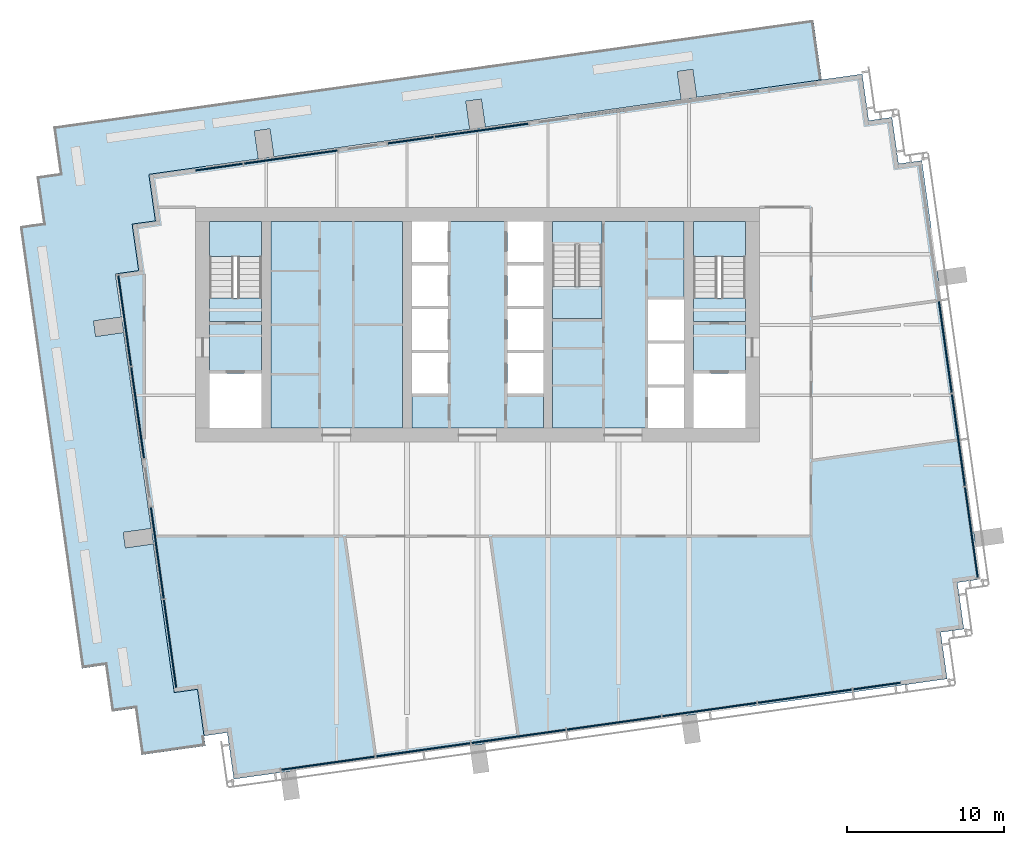
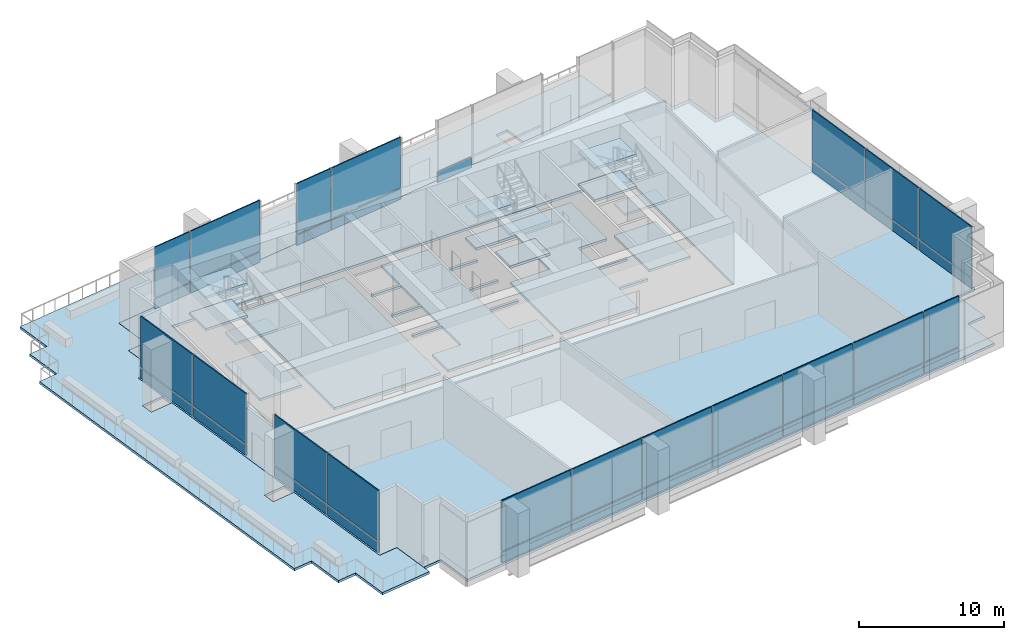
# One storey, part 5 of 18: 37 plates, 16 slabs, 10 elements without a shape of their own.
"""IFC4 building model written with IfcOpenShell, lengths in metres."""

from ifc_helpers import new_model, si_unit, direction, frame, origin, origin_2d, place, context, subcontext, project, spatial, polyline, rectangle, outline, extrude, material, layer, layer_set, type_object, element, aggregate, save


model = new_model("IFC4")

# Units and contexts
model_context = context("Model", 3, precision=1e-05, world=origin(), true_north=direction((0.0, 1.0)))
body_context = subcontext(model_context, "Body", "Model", "MODEL_VIEW")
ifc_project = project(units=[si_unit("LENGTHUNIT", "METRE"), si_unit("AREAUNIT", "SQUARE_METRE"), si_unit("VOLUMEUNIT", "CUBIC_METRE"), si_unit("PLANEANGLEUNIT", "RADIAN"), si_unit("MASSUNIT", "GRAM", prefix="KILO")], contexts=[model_context])

# Site, building, storey
site_placement = place(None, origin())
site = spatial("IfcSite", under=ifc_project, at=site_placement, CompositionType="ELEMENT")
building_placement = place(site_placement, origin())
building = spatial("IfcBuilding", under=site, at=building_placement, Name="Rattan Terrace Tower", CompositionType="ELEMENT")
storey_placement = place(building_placement, frame((0.0, 0.0, 208.10009765625)))
storey = spatial("IfcBuildingStorey", under=building, at=storey_placement, Name="L47", CompositionType="ELEMENT", Elevation=208.10009765625)

# Stair, slabs
ifc_material_1 = material(Name="Concrete C40/50", Category="concrete")
stair_type = type_object("IfcStairType", Name="Core exit stair 1500", PredefinedType="HALF_TURN_STAIR", material=ifc_material_1)
stair_1_placement = place(storey_placement, origin())
stair_1 = element("IfcStair", 1, at=stair_1_placement, inside=storey, type_object=stair_type, Name="L47 exit stair 1", PredefinedType="HALF_TURN_STAIR")
ifc_material_2 = material(Name="Concrete C40/50", Category="concrete")
ifc_layer_1 = layer(ifc_material_2, 0.199951171875)
ifc_layer_set_1 = layer_set([ifc_layer_1], Name="Core exit stair landing")
slab_type_1 = type_object("IfcSlabType", Name="Core exit stair landing", PredefinedType="LANDING", material=ifc_layer_set_1)
slab_1_placement = place(storey_placement, frame((0.0, 0.0, 1.14990234375)))
slab_1 = element("IfcSlab", 2, at=slab_1_placement, type_object=slab_type_1, Name="S1 landing 1", PredefinedType="LANDING", context=body_context, shape_type="SweptSolid", body=[
    extrude(outline(polyline([(-13.800048828125, 4.360107421875), (-13.800048828125, 6.60009765625), (-17.10009765625, 6.60009765625), (-17.10009765625, 4.360107421875), (-13.800048828125, 4.360107421875)])), origin(), (0.0, 0.0, 1.0), 0.199951171875),
])
slab_2_placement = place(storey_placement, frame((0.0, 0.0, 2.5)))
slab_2 = element("IfcSlab", 3, at=slab_2_placement, type_object=slab_type_1, Name="S1 landing 2", PredefinedType="LANDING", context=body_context, shape_type="SweptSolid", body=[
    extrude(outline(polyline([(-13.800048828125, 0.199951171875), (-13.800048828125, 1.699951171875), (-17.10009765625, 1.699951171875), (-17.10009765625, 0.199951171875), (-13.800048828125, 0.199951171875)])), origin(), (0.0, 0.0, 1.0), 0.199951171875),
])
slab_3_placement = place(storey_placement, frame((0.0, 0.0, 3.849853515625)))
slab_3 = element("IfcSlab", 4, at=slab_3_placement, type_object=slab_type_1, Name="S1 landing 3", PredefinedType="LANDING", context=body_context, shape_type="SweptSolid", body=[
    extrude(outline(polyline([(-13.800048828125, 4.360107421875), (-13.800048828125, 6.60009765625), (-17.10009765625, 6.60009765625), (-17.10009765625, 4.360107421875), (-13.800048828125, 4.360107421875)])), origin(), (0.0, 0.0, 1.0), 0.199951171875),
])
aggregate(stair_1, [slab_1, slab_2, slab_3])

stair_2_placement = place(storey_placement, origin())
stair_2 = element("IfcStair", 5, at=stair_2_placement, inside=storey, type_object=stair_type, Name="L47 exit stair 2", PredefinedType="HALF_TURN_STAIR")
slab_4_placement = place(storey_placement, frame((0.0, 0.0, 1.14990234375)))
slab_4 = element("IfcSlab", 6, at=slab_4_placement, type_object=slab_type_1, Name="S2 landing 1", PredefinedType="LANDING", context=body_context, shape_type="SweptSolid", body=[
    extrude(outline(polyline([(17.10009765625, 4.360107421875), (17.10009765625, 6.60009765625), (13.800048828125, 6.60009765625), (13.800048828125, 4.360107421875), (17.10009765625, 4.360107421875)])), origin(), (0.0, 0.0, 1.0), 0.199951171875),
])
slab_5_placement = place(storey_placement, frame((0.0, 0.0, 2.5)))
slab_5 = element("IfcSlab", 7, at=slab_5_placement, type_object=slab_type_1, Name="S2 landing 2", PredefinedType="LANDING", context=body_context, shape_type="SweptSolid", body=[
    extrude(outline(polyline([(17.10009765625, 0.199951171875), (17.10009765625, 1.699951171875), (13.800048828125, 1.699951171875), (13.800048828125, 0.199951171875), (17.10009765625, 0.199951171875)])), origin(), (0.0, 0.0, 1.0), 0.199951171875),
])
slab_6_placement = place(storey_placement, frame((0.0, 0.0, 3.849853515625)))
slab_6 = element("IfcSlab", 8, at=slab_6_placement, type_object=slab_type_1, Name="S2 landing 3", PredefinedType="LANDING", context=body_context, shape_type="SweptSolid", body=[
    extrude(outline(polyline([(17.10009765625, 4.360107421875), (17.10009765625, 6.60009765625), (13.800048828125, 6.60009765625), (13.800048828125, 4.360107421875), (17.10009765625, 4.360107421875)])), origin(), (0.0, 0.0, 1.0), 0.199951171875),
])
aggregate(stair_2, [slab_4, slab_5, slab_6])

stair_3_placement = place(storey_placement, origin())
stair_3 = element("IfcStair", 9, at=stair_3_placement, inside=storey, type_object=stair_type, Name="L47 exit stair 3", PredefinedType="HALF_TURN_STAIR")
slab_7_placement = place(storey_placement, frame((0.0, 0.0, 1.14990234375)))
slab_7 = element("IfcSlab", 10, at=slab_7_placement, type_object=slab_type_1, Name="S3 landing 1", PredefinedType="LANDING", context=body_context, shape_type="SweptSolid", body=[
    extrude(outline(polyline([(4.800048828125, 2.43994140625), (4.800048828125, 0.39990234375), (7.949951171875, 0.39990234375), (7.949951171875, 2.43994140625), (4.800048828125, 2.43994140625)])), origin(), (0.0, 0.0, 1.0), 0.199951171875),
])
slab_8_placement = place(storey_placement, frame((0.0, 0.0, 2.5)))
slab_8 = element("IfcSlab", 11, at=slab_8_placement, type_object=slab_type_1, Name="S3 landing 2", PredefinedType="LANDING", context=body_context, shape_type="SweptSolid", body=[
    extrude(outline(polyline([(4.800048828125, 6.60009765625), (4.800048828125, 5.10009765625), (7.949951171875, 5.10009765625), (7.949951171875, 6.60009765625), (4.800048828125, 6.60009765625)])), origin(), (0.0, 0.0, 1.0), 0.199951171875),
])
slab_9_placement = place(storey_placement, frame((0.0, 0.0, 3.849853515625)))
slab_9 = element("IfcSlab", 12, at=slab_9_placement, type_object=slab_type_1, Name="S3 landing 3", PredefinedType="LANDING", context=body_context, shape_type="SweptSolid", body=[
    extrude(outline(polyline([(4.800048828125, 2.43994140625), (4.800048828125, 0.39990234375), (7.949951171875, 0.39990234375), (7.949951171875, 2.43994140625), (4.800048828125, 2.43994140625)])), origin(), (0.0, 0.0, 1.0), 0.199951171875),
])
aggregate(stair_3, [slab_7, slab_8, slab_9])

# Slabs
ifc_material_3 = material(Name="Concrete C35/45", Category="concrete")
ifc_layer_2 = layer(ifc_material_3, 0.199951171875)
ifc_layer_set_2 = layer_set([ifc_layer_2], Name="Frame refuge floor slab 200")
slab_type_2 = type_object("IfcSlabType", Name="Frame refuge floor slab 200", PredefinedType="FLOOR", material=ifc_layer_set_2)
slab_10_placement = place(storey_placement, frame((0.0, 0.0, -0.2001953125)))
element("IfcSlab", 13, at=slab_10_placement, inside=storey, type_object=slab_type_2, Name="Floor slab", PredefinedType="FLOOR", context=body_context, shape_type="SweptSolid", body=[
    extrude(outline(polyline([(-12.591064453125, -28.593994140625), (27.01904296875, -23.027099609375), (29.989990234375, -22.60888671875), (29.572998046875, -19.637939453125), (31.05810546875, -19.429931640625), (30.639892578125, -16.458984375), (32.1259765625, -16.25), (28.367919921875, 10.487060546875), (26.883056640625, 10.278076171875), (26.465087890625, 13.2490234375), (24.97998046875, 13.0400390625), (24.56201171875, 16.010986328125), (21.591064453125, 15.593994140625), (-18.01904296875, 10.027099609375), (-20.989990234375, 9.60888671875), (-20.572998046875, 6.637939453125), (-22.05810546875, 6.429931640625), (-21.639892578125, 3.458984375), (-23.1259765625, 3.25), (-19.367919921875, -23.487060546875), (-17.883056640625, -23.278076171875), (-17.465087890625, -26.2490234375), (-15.97998046875, -26.0400390625), (-15.56201171875, -29.010986328125), (-12.591064453125, -28.593994140625)]), holes=[polyline([(-18.0, -7.5), (18.0, -7.5), (18.0, -6.60009765625), (18.0, 6.60009765625), (18.0, 7.5), (-18.0, 7.5), (-18.0, 6.60009765625), (-18.0, -6.60009765625), (-18.0, -7.5)])]), origin(), (0.0, 0.0, 1.0), 0.2001953125),
])
slab_11_placement = place(storey_placement, frame((0.0, 0.0, -0.2001953125)))
element("IfcSlab", 14, at=slab_11_placement, inside=storey, type_object=slab_type_2, Name="Floor slab", PredefinedType="FLOOR", context=body_context, shape_type="SweptSolid", body=[
    extrude(outline(polyline([(13.199951171875, 6.60009765625), (4.800048828125, 6.60009765625), (4.800048828125, 5.090087890625), (7.949951171875, 5.090087890625), (7.949951171875, 0.39990234375), (4.800048828125, 0.39990234375), (4.800048828125, -6.60009765625), (10.89990234375, -6.60009765625), (10.89990234375, -4.0), (13.199951171875, -4.0), (13.199951171875, -3.800048828125), (10.89990234375, -3.800048828125), (10.89990234375, -1.199951171875), (13.199951171875, -1.199951171875), (13.199951171875, -1.0), (10.89990234375, -1.0), (10.89990234375, 1.60009765625), (13.199951171875, 1.60009765625), (13.199951171875, 6.60009765625)])), origin(), (0.0, 0.0, 1.0), 0.2001953125),
])
slab_12_placement = place(storey_placement, frame((0.0, 0.0, -0.2001953125)))
element("IfcSlab", 15, at=slab_12_placement, inside=storey, type_object=slab_type_2, Name="Floor slab", PredefinedType="FLOOR", context=body_context, shape_type="SweptSolid", body=[
    extrude(outline(polyline([(1.89990234375, 6.60009765625), (-1.89990234375, 6.60009765625), (-1.89990234375, 4.0), (-4.199951171875, 4.0), (-4.199951171875, 3.800048828125), (-1.89990234375, 3.800048828125), (-1.89990234375, 1.199951171875), (-4.199951171875, 1.199951171875), (-4.199951171875, 1.0), (-1.89990234375, 1.0), (-1.89990234375, -1.60009765625), (-4.199951171875, -1.60009765625), (-4.199951171875, -1.800048828125), (-1.89990234375, -1.800048828125), (-1.89990234375, -4.39990234375), (-4.199951171875, -4.39990234375), (-4.199951171875, -6.60009765625), (4.199951171875, -6.60009765625), (4.199951171875, -4.39990234375), (1.89990234375, -4.39990234375), (1.89990234375, -1.800048828125), (4.199951171875, -1.800048828125), (4.199951171875, -1.60009765625), (1.89990234375, -1.60009765625), (1.89990234375, 1.0), (4.199951171875, 1.0), (4.199951171875, 1.199951171875), (1.89990234375, 1.199951171875), (1.89990234375, 3.800048828125), (4.199951171875, 3.800048828125), (4.199951171875, 4.0), (1.89990234375, 4.0), (1.89990234375, 6.60009765625)])), origin(), (0.0, 0.0, 1.0), 0.2001953125),
])
slab_13_placement = place(storey_placement, frame((0.0, 0.0, -0.2001953125)))
element("IfcSlab", 16, at=slab_13_placement, inside=storey, type_object=slab_type_2, Name="Floor slab", PredefinedType="FLOOR", context=body_context, shape_type="SweptSolid", body=[
    extrude(outline(polyline([(-17.10009765625, -3.10009765625), (-13.800048828125, -3.10009765625), (-13.800048828125, 1.7099609375), (-17.10009765625, 1.7099609375), (-17.10009765625, -3.10009765625)])), origin(), (0.0, 0.0, 1.0), 0.2001953125),
])
slab_14_placement = place(storey_placement, frame((0.0, 0.0, -0.2001953125)))
element("IfcSlab", 17, at=slab_14_placement, inside=storey, type_object=slab_type_2, Name="Floor slab", PredefinedType="FLOOR", context=body_context, shape_type="SweptSolid", body=[
    extrude(outline(polyline([(-4.800048828125, -6.60009765625), (-4.800048828125, 6.60009765625), (-13.199951171875, 6.60009765625), (-13.199951171875, -6.60009765625), (-4.800048828125, -6.60009765625)])), origin(), (0.0, 0.0, 1.0), 0.2001953125),
])
slab_15_placement = place(storey_placement, frame((0.0, 0.0, -0.2001953125)))
element("IfcSlab", 18, at=slab_15_placement, inside=storey, type_object=slab_type_2, Name="Floor slab", PredefinedType="FLOOR", context=body_context, shape_type="SweptSolid", body=[
    extrude(outline(polyline([(13.800048828125, -3.10009765625), (17.10009765625, -3.10009765625), (17.10009765625, 1.7099609375), (13.800048828125, 1.7099609375), (13.800048828125, -3.10009765625)])), origin(), (0.0, 0.0, 1.0), 0.2001953125),
])
ifc_material_4 = material(Name="Concrete C35/45", Category="concrete")
ifc_layer_3 = layer(ifc_material_4, 0.199951171875)
ifc_layer_set_3 = layer_set([ifc_layer_3], Name="Frame terrace slab 200")
slab_type_3 = type_object("IfcSlabType", Name="Frame terrace slab 200", PredefinedType="ROOF", material=ifc_layer_set_3)
slab_16_placement = place(storey_placement, frame((0.0, 0.0, -0.2001953125)))
element("IfcSlab", 19, at=slab_16_placement, inside=storey, type_object=slab_type_3, Name="Terrace slab", PredefinedType="ROOF", context=body_context, shape_type="SweptSolid", body=[
    extrude(outline(polyline([(-18.01904296875, 10.027099609375), (-13.994873046875, 10.592529296875), (-14.245361328125, 12.374755859375), (-13.255126953125, 12.513916015625), (-13.004638671875, 10.731689453125), (13.005126953125, 14.387451171875), (12.754638671875, 16.169677734375), (13.744873046875, 16.308837890625), (13.995361328125, 14.526611328125), (21.97998046875, 15.64892578125), (21.443115234375, 19.462890625), (18.472900390625, 19.044921875), (-24.10888671875, 13.06103515625), (-27.080078125, 12.64306640625), (-26.662109375, 9.672119140625), (-28.14794921875, 9.464111328125), (-27.72998046875, 6.492919921875), (-29.216064453125, 6.283935546875), (-25.2490234375, -21.93896484375), (-23.763916015625, -21.72998046875), (-23.345947265625, -24.700927734375), (-21.861083984375, -24.491943359375), (-21.443115234375, -27.462890625), (-18.472900390625, -27.044921875), (-17.375, -26.89111328125), (-17.883056640625, -23.278076171875), (-19.367919921875, -23.487060546875), (-23.1259765625, 3.25), (-21.639892578125, 3.458984375), (-22.05810546875, 6.429931640625), (-20.572998046875, 6.637939453125), (-20.989990234375, 9.60888671875), (-18.01904296875, 10.027099609375)]), holes=[polyline([(-20.84130859375, -13.004638671875), (-22.623779296875, -13.255126953125), (-22.484619140625, -14.245361328125), (-20.7021484375, -13.994873046875), (-20.84130859375, -13.004638671875)]), polyline([(-24.521728515625, 0.244873046875), (-24.382568359375, -0.745361328125), (-22.60009765625, -0.494873046875), (-22.739501953125, 0.495361328125), (-24.521728515625, 0.244873046875)]), polyline([(0.495361328125, 12.62939453125), (0.244873046875, 14.411865234375), (-0.745361328125, 14.272705078125), (-0.494873046875, 12.490234375), (0.495361328125, 12.62939453125)])]), origin(), (0.0, 0.0, 1.0), 0.2001953125),
])

# Curtain wall, plates
ifc_material_5 = material(Name="Steel fins, aluminium and glass", Category="steel")
ifc_layer_4 = layer(ifc_material_5, 0.300048828125)
ifc_layer_set_4 = layer_set([ifc_layer_4], Name="Sky Lobby Stick Curtain Wall")
curtain_wall_type = type_object("IfcCurtainWallType", Name="Sky Lobby Stick Curtain Wall", PredefinedType="NOTDEFINED", material=ifc_layer_set_4)
curtain_wall_1_placement = place(storey_placement, origin())
curtain_wall_1 = element("IfcCurtainWall", 20, at=curtain_wall_1_placement, inside=storey, type_object=curtain_wall_type, Name="Sky lobby curtain wall L47-1", PredefinedType="NOTDEFINED")
ifc_material_6 = material(Name="Insulated aluminium spandrel panel", Category="aluminium")
ifc_layer_5 = layer(ifc_material_6, 0.10009765625)
ifc_layer_set_5 = layer_set([ifc_layer_5], Name="Sky Lobby CW Insulated Panel")
plate_type_1 = type_object("IfcPlateType", Name="Sky Lobby CW Insulated Panel", PredefinedType="CURTAIN_PANEL", material=ifc_layer_set_5)
plate_1_placement = place(storey_placement, frame((31.5341796875, -13.2607421875, 0.0), z_axis=(0.0, 0.0, 1.0), x_axis=(-0.139186165309, 0.990266232579, 0.0)))
plate_1 = element("IfcPlate", 21, at=plate_1_placement, type_object=plate_type_1, Name="Panel cwl-L47-001.1.1", PredefinedType="CURTAIN_PANEL", context=body_context, shape_type="SweptSolid", body=[
    extrude(rectangle(XDim=5.8349609375, YDim=0.10009765625, at=origin_2d()), origin(), (0.0, 0.0, 1.0), 0.840087890625),
])
plate_2_placement = place(storey_placement, frame((30.705078125, -7.361328125, 0.0), z_axis=(0.0, 0.0, 1.0), x_axis=(-0.139186165309, 0.990266232579, 0.0)))
plate_2 = element("IfcPlate", 22, at=plate_2_placement, type_object=plate_type_1, Name="Panel cwl-L47-001.2.1", PredefinedType="CURTAIN_PANEL", context=body_context, shape_type="SweptSolid", body=[
    extrude(rectangle(XDim=5.919921875, YDim=0.10009765625, at=origin_2d()), origin(), (0.0, 0.0, 1.0), 0.840087890625),
])
plate_3_placement = place(storey_placement, frame((29.869873046875, -1.419677734375, 0.0), z_axis=(0.0, 0.0, 1.0), x_axis=(-0.139186165309, 0.990266232579, 0.0)))
plate_3 = element("IfcPlate", 23, at=plate_3_placement, type_object=plate_type_1, Name="Panel cwl-L47-001.3.1", PredefinedType="CURTAIN_PANEL", context=body_context, shape_type="SweptSolid", body=[
    extrude(rectangle(XDim=5.919921875, YDim=0.10009765625, at=origin_2d()), origin(), (0.0, 0.0, 1.0), 0.840087890625),
])

# Curtain wall, plate
curtain_wall_2_placement = place(storey_placement, origin())
curtain_wall_2 = element("IfcCurtainWall", 24, at=curtain_wall_2_placement, inside=storey, type_object=curtain_wall_type, Name="Sky lobby curtain wall L47-3", PredefinedType="NOTDEFINED")
plate_4_placement = place(storey_placement, frame((7.922607421875, 13.501220703125, 0.0), z_axis=(0.0, 0.0, 1.0), x_axis=(-0.990267457022, -0.139177453499, 0.0)))
plate_4 = element("IfcPlate", 25, at=plate_4_placement, type_object=plate_type_1, Name="Panel cwl-L47-003.2.1", PredefinedType="CURTAIN_PANEL", context=body_context, shape_type="SweptSolid", body=[
    extrude(rectangle(XDim=2.95703125, YDim=0.10009765625, at=origin_2d()), origin(), (0.0, 0.0, 1.0), 0.840087890625),
])
aggregate(curtain_wall_2, [plate_4])

# Curtain wall, plates
curtain_wall_3_placement = place(storey_placement, origin())
curtain_wall_3 = element("IfcCurtainWall", 26, at=curtain_wall_3_placement, inside=storey, type_object=curtain_wall_type, Name="Sky lobby curtain wall L47-4", PredefinedType="NOTDEFINED")
plate_5_placement = place(storey_placement, frame((0.265380859375, 12.425048828125, 0.0), z_axis=(0.0, 0.0, 1.0), x_axis=(-0.990267457022, -0.139177453499, 0.0)))
plate_5 = element("IfcPlate", 27, at=plate_5_placement, type_object=plate_type_1, Name="Panel cwl-L47-004.1.1", PredefinedType="CURTAIN_PANEL", context=body_context, shape_type="SweptSolid", body=[
    extrude(rectangle(XDim=6.033935546875, YDim=0.10009765625, at=origin_2d()), origin(), (0.0, 0.0, 1.0), 0.840087890625),
])
plate_6_placement = place(storey_placement, frame((-4.265380859375, 11.788330078125, 0.0), z_axis=(0.0, 0.0, 1.0), x_axis=(-0.990267457022, -0.139177453499, 0.0)))
plate_6 = element("IfcPlate", 28, at=plate_6_placement, type_object=plate_type_1, Name="Panel cwl-L47-004.2.1", PredefinedType="CURTAIN_PANEL", context=body_context, shape_type="SweptSolid", body=[
    extrude(rectangle(XDim=2.95703125, YDim=0.10009765625, at=origin_2d()), origin(), (0.0, 0.0, 1.0), 0.840087890625),
])

curtain_wall_4_placement = place(storey_placement, origin())
curtain_wall_4 = element("IfcCurtainWall", 29, at=curtain_wall_4_placement, inside=storey, type_object=curtain_wall_type, Name="Sky lobby curtain wall L47-5", PredefinedType="NOTDEFINED")
plate_7_placement = place(storey_placement, frame((-11.922607421875, 10.712158203125, 0.0), z_axis=(0.0, 0.0, 1.0), x_axis=(-0.990267457022, -0.139177453499, 0.0)))
plate_7 = element("IfcPlate", 30, at=plate_7_placement, type_object=plate_type_1, Name="Panel cwl-L47-005.1.1", PredefinedType="CURTAIN_PANEL", context=body_context, shape_type="SweptSolid", body=[
    extrude(rectangle(XDim=6.033935546875, YDim=0.10009765625, at=origin_2d()), origin(), (0.0, 0.0, 1.0), 0.840087890625),
])
plate_8_placement = place(storey_placement, frame((-16.492431640625, 10.06982421875, 0.0), z_axis=(0.0, 0.0, 1.0), x_axis=(-0.990267457022, -0.139177453499, 0.0)))
plate_8 = element("IfcPlate", 31, at=plate_8_placement, type_object=plate_type_1, Name="Panel cwl-L47-005.2.1", PredefinedType="CURTAIN_PANEL", context=body_context, shape_type="SweptSolid", body=[
    extrude(rectangle(XDim=3.035400390625, YDim=0.10009765625, at=origin_2d()), origin(), (0.0, 0.0, 1.0), 0.840087890625),
])

curtain_wall_5_placement = place(storey_placement, origin())
curtain_wall_5 = element("IfcCurtainWall", 32, at=curtain_wall_5_placement, inside=storey, type_object=curtain_wall_type, Name="Sky lobby curtain wall L47-6", PredefinedType="NOTDEFINED")
plate_9_placement = place(storey_placement, frame((-22.5341796875, 0.2607421875, 0.0), z_axis=(0.0, 0.0, 1.0), x_axis=(0.139186165309, -0.990266232579, 0.0)))
plate_9 = element("IfcPlate", 33, at=plate_9_placement, type_object=plate_type_1, Name="Panel cwl-L47-006.1.1", PredefinedType="CURTAIN_PANEL", context=body_context, shape_type="SweptSolid", body=[
    extrude(rectangle(XDim=5.8349609375, YDim=0.10009765625, at=origin_2d()), origin(), (0.0, 0.0, 1.0), 0.840087890625),
])
plate_10_placement = place(storey_placement, frame((-21.707763671875, -5.618896484375, 0.0), z_axis=(0.0, 0.0, 1.0), x_axis=(0.139186165309, -0.990266232579, 0.0)))
plate_10 = element("IfcPlate", 34, at=plate_10_placement, type_object=plate_type_1, Name="Panel cwl-L47-006.2.1", PredefinedType="CURTAIN_PANEL", context=body_context, shape_type="SweptSolid", body=[
    extrude(rectangle(XDim=5.8798828125, YDim=0.10009765625, at=origin_2d()), origin(), (0.0, 0.0, 1.0), 0.840087890625),
])

curtain_wall_6_placement = place(storey_placement, origin())
curtain_wall_6 = element("IfcCurtainWall", 35, at=curtain_wall_6_placement, inside=storey, type_object=curtain_wall_type, Name="Sky lobby curtain wall L47-7", PredefinedType="NOTDEFINED")
plate_11_placement = place(storey_placement, frame((-20.449462890625, -14.571044921875, 0.0), z_axis=(0.0, 0.0, 1.0), x_axis=(0.139186165309, -0.990266232579, 0.0)))
plate_11 = element("IfcPlate", 36, at=plate_11_placement, type_object=plate_type_1, Name="Panel cwl-L47-007.1.1", PredefinedType="CURTAIN_PANEL", context=body_context, shape_type="SweptSolid", body=[
    extrude(rectangle(XDim=5.8798828125, YDim=0.10009765625, at=origin_2d()), origin(), (0.0, 0.0, 1.0), 0.840087890625),
])
plate_12_placement = place(storey_placement, frame((-19.635009765625, -20.366455078125, 0.0), z_axis=(0.0, 0.0, 1.0), x_axis=(0.139186165309, -0.990266232579, 0.0)))
plate_12 = element("IfcPlate", 37, at=plate_12_placement, type_object=plate_type_1, Name="Panel cwl-L47-007.2.1", PredefinedType="CURTAIN_PANEL", context=body_context, shape_type="SweptSolid", body=[
    extrude(rectangle(XDim=5.664794921875, YDim=0.10009765625, at=origin_2d()), origin(), (0.0, 0.0, 1.0), 0.840087890625),
])

curtain_wall_7_placement = place(storey_placement, origin())
curtain_wall_7 = element("IfcCurtainWall", 38, at=curtain_wall_7_placement, inside=storey, type_object=curtain_wall_type, Name="Sky lobby curtain wall L47-8", PredefinedType="NOTDEFINED")
plate_13_placement = place(storey_placement, frame((-9.5478515625, -27.99462890625, 0.0), z_axis=(0.0, 0.0, 1.0), x_axis=(0.990267457022, 0.139177453499, 0.0)))
plate_13 = element("IfcPlate", 39, at=plate_13_placement, type_object=plate_type_1, Name="Panel cwl-L47-008.1.1", PredefinedType="CURTAIN_PANEL", context=body_context, shape_type="SweptSolid", body=[
    extrude(rectangle(XDim=6.033935546875, YDim=0.10009765625, at=origin_2d()), origin(), (0.0, 0.0, 1.0), 0.840087890625),
])
plate_14_placement = place(storey_placement, frame((-3.473388671875, -27.140869140625, 0.0), z_axis=(0.0, 0.0, 1.0), x_axis=(0.990267457022, 0.139177453499, 0.0)))
plate_14 = element("IfcPlate", 40, at=plate_14_placement, type_object=plate_type_1, Name="Panel cwl-L47-008.2.1", PredefinedType="CURTAIN_PANEL", context=body_context, shape_type="SweptSolid", body=[
    extrude(rectangle(XDim=6.073974609375, YDim=0.10009765625, at=origin_2d()), origin(), (0.0, 0.0, 1.0), 0.840087890625),
])
plate_15_placement = place(storey_placement, frame((2.62060546875, -26.284423828125, 0.0), z_axis=(0.0, 0.0, 1.0), x_axis=(0.990267457022, 0.139177453499, 0.0)))
plate_15 = element("IfcPlate", 41, at=plate_15_placement, type_object=plate_type_1, Name="Panel cwl-L47-008.3.1", PredefinedType="CURTAIN_PANEL", context=body_context, shape_type="SweptSolid", body=[
    extrude(rectangle(XDim=6.073974609375, YDim=0.10009765625, at=origin_2d()), origin(), (0.0, 0.0, 1.0), 0.840087890625),
])
plate_16_placement = place(storey_placement, frame((8.714599609375, -25.427978515625, 0.0), z_axis=(0.0, 0.0, 1.0), x_axis=(0.990267457022, 0.139177453499, 0.0)))
plate_16 = element("IfcPlate", 42, at=plate_16_placement, type_object=plate_type_1, Name="Panel cwl-L47-008.4.1", PredefinedType="CURTAIN_PANEL", context=body_context, shape_type="SweptSolid", body=[
    extrude(rectangle(XDim=6.073974609375, YDim=0.10009765625, at=origin_2d()), origin(), (0.0, 0.0, 1.0), 0.840087890625),
])
plate_17_placement = place(storey_placement, frame((14.808837890625, -24.571533203125, 0.0), z_axis=(0.0, 0.0, 1.0), x_axis=(0.990267457022, 0.139177453499, 0.0)))
plate_17 = element("IfcPlate", 43, at=plate_17_placement, type_object=plate_type_1, Name="Panel cwl-L47-008.5.1", PredefinedType="CURTAIN_PANEL", context=body_context, shape_type="SweptSolid", body=[
    extrude(rectangle(XDim=6.073974609375, YDim=0.10009765625, at=origin_2d()), origin(), (0.0, 0.0, 1.0), 0.840087890625),
])
plate_18_placement = place(storey_placement, frame((20.90283203125, -23.71484375, 0.0), z_axis=(0.0, 0.0, 1.0), x_axis=(0.990267457022, 0.139177453499, 0.0)))
plate_18 = element("IfcPlate", 44, at=plate_18_placement, type_object=plate_type_1, Name="Panel cwl-L47-008.6.1", PredefinedType="CURTAIN_PANEL", context=body_context, shape_type="SweptSolid", body=[
    extrude(rectangle(XDim=6.073974609375, YDim=0.10009765625, at=origin_2d()), origin(), (0.0, 0.0, 1.0), 0.840087890625),
])
plate_19_placement = place(storey_placement, frame((25.492431640625, -23.06982421875, 0.0), z_axis=(0.0, 0.0, 1.0), x_axis=(0.990267457022, 0.139177453499, 0.0)))
plate_19 = element("IfcPlate", 45, at=plate_19_placement, type_object=plate_type_1, Name="Panel cwl-L47-008.7.1", PredefinedType="CURTAIN_PANEL", context=body_context, shape_type="SweptSolid", body=[
    extrude(rectangle(XDim=3.035400390625, YDim=0.10009765625, at=origin_2d()), origin(), (0.0, 0.0, 1.0), 0.840087890625),
])

# Plate
ifc_material_7 = material(Name="Laminated low-iron glass", Category="glass")
ifc_layer_6 = layer(ifc_material_7, 0.090087890625)
ifc_layer_set_6 = layer_set([ifc_layer_6], Name="Sky Lobby CW Vision Panel")
plate_type_2 = type_object("IfcPlateType", Name="Sky Lobby CW Vision Panel", PredefinedType="CURTAIN_PANEL", material=ifc_layer_set_6)
plate_20_placement = place(storey_placement, frame((31.5341796875, -13.2607421875, 0.9599609375), z_axis=(0.0, 0.0, 1.0), x_axis=(-0.139186165309, 0.990266232579, 0.0)))
plate_20 = element("IfcPlate", 46, at=plate_20_placement, type_object=plate_type_2, Name="Panel cwl-L47-001.1.2", PredefinedType="CURTAIN_PANEL", context=body_context, shape_type="SweptSolid", body=[
    extrude(rectangle(XDim=5.8349609375, YDim=0.090087890625, at=origin_2d()), origin(), (0.0, 0.0, 1.0), 4.239990234375),
])

plate_21_placement = place(storey_placement, frame((30.705078125, -7.361328125, 0.9599609375), z_axis=(0.0, 0.0, 1.0), x_axis=(-0.139186165309, 0.990266232579, 0.0)))
plate_21 = element("IfcPlate", 47, at=plate_21_placement, type_object=plate_type_2, Name="Panel cwl-L47-001.2.2", PredefinedType="CURTAIN_PANEL", context=body_context, shape_type="SweptSolid", body=[
    extrude(rectangle(XDim=5.919921875, YDim=0.090087890625, at=origin_2d()), origin(), (0.0, 0.0, 1.0), 4.239990234375),
])

plate_22_placement = place(storey_placement, frame((29.869873046875, -1.419677734375, 0.9599609375), z_axis=(0.0, 0.0, 1.0), x_axis=(-0.139186165309, 0.990266232579, 0.0)))
plate_22 = element("IfcPlate", 48, at=plate_22_placement, type_object=plate_type_2, Name="Panel cwl-L47-001.3.2", PredefinedType="CURTAIN_PANEL", context=body_context, shape_type="SweptSolid", body=[
    extrude(rectangle(XDim=5.919921875, YDim=0.090087890625, at=origin_2d()), origin(), (0.0, 0.0, 1.0), 4.239990234375),
])

aggregate(curtain_wall_1, [plate_1, plate_20, plate_2, plate_21, plate_3, plate_22])

plate_23_placement = place(storey_placement, frame((0.265380859375, 12.425048828125, 0.9599609375), z_axis=(0.0, 0.0, 1.0), x_axis=(-0.990267457022, -0.139177453499, 0.0)))
plate_23 = element("IfcPlate", 49, at=plate_23_placement, type_object=plate_type_2, Name="Panel cwl-L47-004.1.2", PredefinedType="CURTAIN_PANEL", context=body_context, shape_type="SweptSolid", body=[
    extrude(rectangle(XDim=6.033935546875, YDim=0.090087890625, at=origin_2d()), origin(), (0.0, 0.0, 1.0), 4.239990234375),
])

plate_24_placement = place(storey_placement, frame((-4.265380859375, 11.788330078125, 0.9599609375), z_axis=(0.0, 0.0, 1.0), x_axis=(-0.990267457022, -0.139177453499, 0.0)))
plate_24 = element("IfcPlate", 50, at=plate_24_placement, type_object=plate_type_2, Name="Panel cwl-L47-004.2.2", PredefinedType="CURTAIN_PANEL", context=body_context, shape_type="SweptSolid", body=[
    extrude(rectangle(XDim=2.95703125, YDim=0.090087890625, at=origin_2d()), origin(), (0.0, 0.0, 1.0), 4.239990234375),
])

aggregate(curtain_wall_3, [plate_5, plate_23, plate_6, plate_24])

plate_25_placement = place(storey_placement, frame((-11.922607421875, 10.712158203125, 0.9599609375), z_axis=(0.0, 0.0, 1.0), x_axis=(-0.990267457022, -0.139177453499, 0.0)))
plate_25 = element("IfcPlate", 51, at=plate_25_placement, type_object=plate_type_2, Name="Panel cwl-L47-005.1.2", PredefinedType="CURTAIN_PANEL", context=body_context, shape_type="SweptSolid", body=[
    extrude(rectangle(XDim=6.033935546875, YDim=0.090087890625, at=origin_2d()), origin(), (0.0, 0.0, 1.0), 4.239990234375),
])

plate_26_placement = place(storey_placement, frame((-16.492431640625, 10.06982421875, 0.9599609375), z_axis=(0.0, 0.0, 1.0), x_axis=(-0.990267457022, -0.139177453499, 0.0)))
plate_26 = element("IfcPlate", 52, at=plate_26_placement, type_object=plate_type_2, Name="Panel cwl-L47-005.2.2", PredefinedType="CURTAIN_PANEL", context=body_context, shape_type="SweptSolid", body=[
    extrude(rectangle(XDim=3.035400390625, YDim=0.090087890625, at=origin_2d()), origin(), (0.0, 0.0, 1.0), 4.239990234375),
])

aggregate(curtain_wall_4, [plate_7, plate_25, plate_8, plate_26])

plate_27_placement = place(storey_placement, frame((-22.5341796875, 0.2607421875, 0.9599609375), z_axis=(0.0, 0.0, 1.0), x_axis=(0.139186165309, -0.990266232579, 0.0)))
plate_27 = element("IfcPlate", 53, at=plate_27_placement, type_object=plate_type_2, Name="Panel cwl-L47-006.1.2", PredefinedType="CURTAIN_PANEL", context=body_context, shape_type="SweptSolid", body=[
    extrude(rectangle(XDim=5.8349609375, YDim=0.090087890625, at=origin_2d()), origin(), (0.0, 0.0, 1.0), 4.239990234375),
])

plate_28_placement = place(storey_placement, frame((-21.707763671875, -5.618896484375, 0.9599609375), z_axis=(0.0, 0.0, 1.0), x_axis=(0.139186165309, -0.990266232579, 0.0)))
plate_28 = element("IfcPlate", 54, at=plate_28_placement, type_object=plate_type_2, Name="Panel cwl-L47-006.2.2", PredefinedType="CURTAIN_PANEL", context=body_context, shape_type="SweptSolid", body=[
    extrude(rectangle(XDim=5.8798828125, YDim=0.090087890625, at=origin_2d()), origin(), (0.0, 0.0, 1.0), 4.239990234375),
])

aggregate(curtain_wall_5, [plate_9, plate_27, plate_10, plate_28])

plate_29_placement = place(storey_placement, frame((-20.449462890625, -14.571044921875, 0.9599609375), z_axis=(0.0, 0.0, 1.0), x_axis=(0.139186165309, -0.990266232579, 0.0)))
plate_29 = element("IfcPlate", 55, at=plate_29_placement, type_object=plate_type_2, Name="Panel cwl-L47-007.1.2", PredefinedType="CURTAIN_PANEL", context=body_context, shape_type="SweptSolid", body=[
    extrude(rectangle(XDim=5.8798828125, YDim=0.090087890625, at=origin_2d()), origin(), (0.0, 0.0, 1.0), 4.239990234375),
])

plate_30_placement = place(storey_placement, frame((-19.635009765625, -20.366455078125, 0.9599609375), z_axis=(0.0, 0.0, 1.0), x_axis=(0.139186165309, -0.990266232579, 0.0)))
plate_30 = element("IfcPlate", 56, at=plate_30_placement, type_object=plate_type_2, Name="Panel cwl-L47-007.2.2", PredefinedType="CURTAIN_PANEL", context=body_context, shape_type="SweptSolid", body=[
    extrude(rectangle(XDim=5.664794921875, YDim=0.090087890625, at=origin_2d()), origin(), (0.0, 0.0, 1.0), 4.239990234375),
])

aggregate(curtain_wall_6, [plate_11, plate_29, plate_12, plate_30])

plate_31_placement = place(storey_placement, frame((-9.5478515625, -27.99462890625, 0.9599609375), z_axis=(0.0, 0.0, 1.0), x_axis=(0.990267457022, 0.139177453499, 0.0)))
plate_31 = element("IfcPlate", 57, at=plate_31_placement, type_object=plate_type_2, Name="Panel cwl-L47-008.1.2", PredefinedType="CURTAIN_PANEL", context=body_context, shape_type="SweptSolid", body=[
    extrude(rectangle(XDim=6.033935546875, YDim=0.090087890625, at=origin_2d()), origin(), (0.0, 0.0, 1.0), 4.239990234375),
])

plate_32_placement = place(storey_placement, frame((-3.473388671875, -27.140869140625, 0.9599609375), z_axis=(0.0, 0.0, 1.0), x_axis=(0.990267457022, 0.139177453499, 0.0)))
plate_32 = element("IfcPlate", 58, at=plate_32_placement, type_object=plate_type_2, Name="Panel cwl-L47-008.2.2", PredefinedType="CURTAIN_PANEL", context=body_context, shape_type="SweptSolid", body=[
    extrude(rectangle(XDim=6.073974609375, YDim=0.090087890625, at=origin_2d()), origin(), (0.0, 0.0, 1.0), 4.239990234375),
])

plate_33_placement = place(storey_placement, frame((2.62060546875, -26.284423828125, 0.9599609375), z_axis=(0.0, 0.0, 1.0), x_axis=(0.990267457022, 0.139177453499, 0.0)))
plate_33 = element("IfcPlate", 59, at=plate_33_placement, type_object=plate_type_2, Name="Panel cwl-L47-008.3.2", PredefinedType="CURTAIN_PANEL", context=body_context, shape_type="SweptSolid", body=[
    extrude(rectangle(XDim=6.073974609375, YDim=0.090087890625, at=origin_2d()), origin(), (0.0, 0.0, 1.0), 4.239990234375),
])

plate_34_placement = place(storey_placement, frame((8.714599609375, -25.427978515625, 0.9599609375), z_axis=(0.0, 0.0, 1.0), x_axis=(0.990267457022, 0.139177453499, 0.0)))
plate_34 = element("IfcPlate", 60, at=plate_34_placement, type_object=plate_type_2, Name="Panel cwl-L47-008.4.2", PredefinedType="CURTAIN_PANEL", context=body_context, shape_type="SweptSolid", body=[
    extrude(rectangle(XDim=6.073974609375, YDim=0.090087890625, at=origin_2d()), origin(), (0.0, 0.0, 1.0), 4.239990234375),
])

plate_35_placement = place(storey_placement, frame((14.808837890625, -24.571533203125, 0.9599609375), z_axis=(0.0, 0.0, 1.0), x_axis=(0.990267457022, 0.139177453499, 0.0)))
plate_35 = element("IfcPlate", 61, at=plate_35_placement, type_object=plate_type_2, Name="Panel cwl-L47-008.5.2", PredefinedType="CURTAIN_PANEL", context=body_context, shape_type="SweptSolid", body=[
    extrude(rectangle(XDim=6.073974609375, YDim=0.090087890625, at=origin_2d()), origin(), (0.0, 0.0, 1.0), 4.239990234375),
])

plate_36_placement = place(storey_placement, frame((20.90283203125, -23.71484375, 0.9599609375), z_axis=(0.0, 0.0, 1.0), x_axis=(0.990267457022, 0.139177453499, 0.0)))
plate_36 = element("IfcPlate", 62, at=plate_36_placement, type_object=plate_type_2, Name="Panel cwl-L47-008.6.2", PredefinedType="CURTAIN_PANEL", context=body_context, shape_type="SweptSolid", body=[
    extrude(rectangle(XDim=6.073974609375, YDim=0.090087890625, at=origin_2d()), origin(), (0.0, 0.0, 1.0), 4.239990234375),
])

plate_37_placement = place(storey_placement, frame((25.492431640625, -23.06982421875, 0.9599609375), z_axis=(0.0, 0.0, 1.0), x_axis=(0.990267457022, 0.139177453499, 0.0)))
plate_37 = element("IfcPlate", 63, at=plate_37_placement, type_object=plate_type_2, Name="Panel cwl-L47-008.7.2", PredefinedType="CURTAIN_PANEL", context=body_context, shape_type="SweptSolid", body=[
    extrude(rectangle(XDim=3.035400390625, YDim=0.090087890625, at=origin_2d()), origin(), (0.0, 0.0, 1.0), 4.239990234375),
])

aggregate(curtain_wall_7, [plate_13, plate_31, plate_14, plate_32, plate_15, plate_33, plate_16, plate_34, plate_17, plate_35, plate_18, plate_36, plate_19, plate_37])

save(model, "model.ifc")
